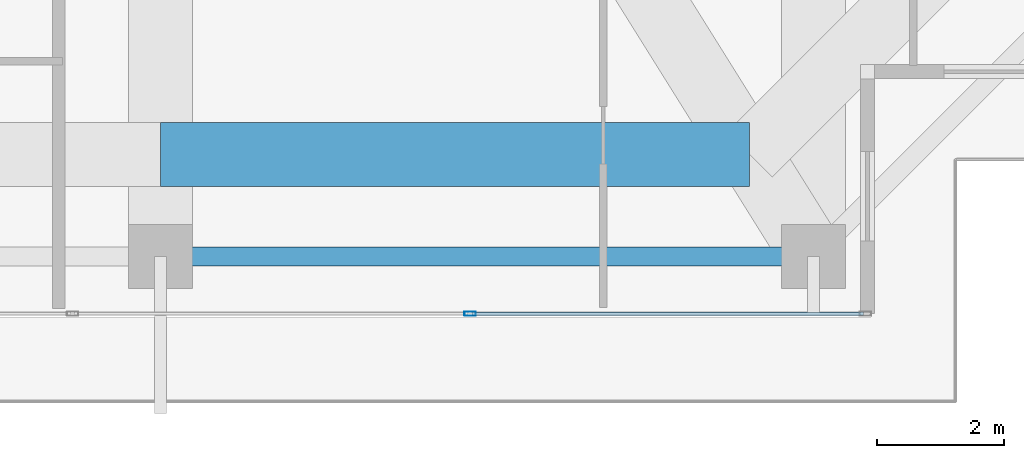
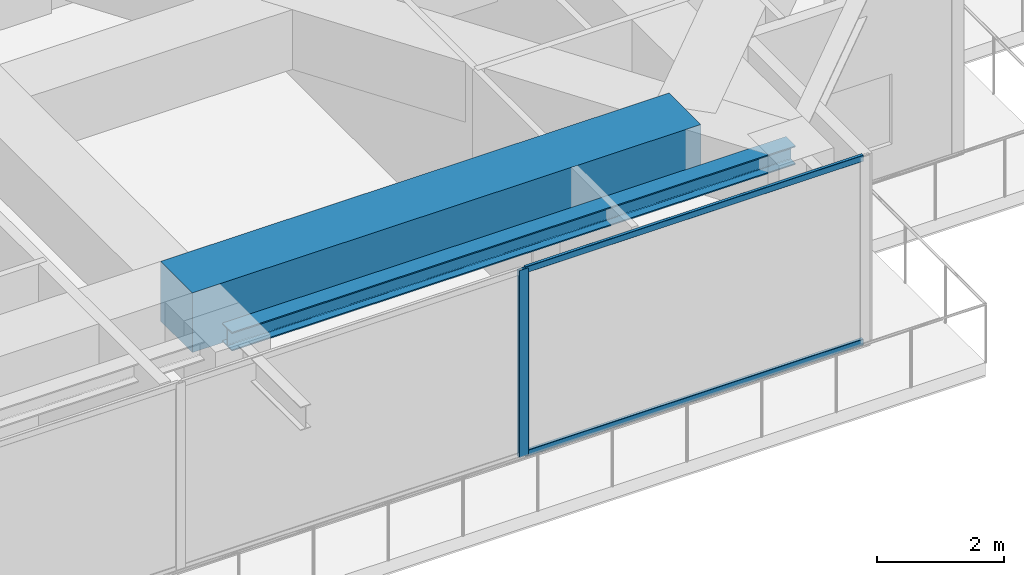
# One storey, part 13 of 40: 3 members, 2 beams, 1 element without a shape of its own.
"""IFC4 building model written with IfcOpenShell, lengths in metres."""

from ifc_helpers import new_model, si_unit, direction, frame, origin, origin_2d, place, context, subcontext, project, spatial, rectangle, hollow_rectangle, i_section, extrude, source, transform, mapped, material, layer, layer_set, material_profile, profile_set, type_object, element, aggregate, save


model = new_model("IFC4")

# Units and contexts
model_context = context("Model", 3, precision=1e-05, world=origin(), true_north=direction((0.0, 1.0)))
body_context = subcontext(model_context, "Body", "Model", "MODEL_VIEW")
ifc_project = project(units=[si_unit("LENGTHUNIT", "METRE"), si_unit("AREAUNIT", "SQUARE_METRE"), si_unit("VOLUMEUNIT", "CUBIC_METRE"), si_unit("PLANEANGLEUNIT", "RADIAN"), si_unit("MASSUNIT", "GRAM", prefix="KILO")], contexts=[model_context])

# Site, building, storey
site_placement = place(None, origin())
site = spatial("IfcSite", under=ifc_project, at=site_placement, CompositionType="ELEMENT")
building_placement = place(site_placement, origin())
building = spatial("IfcBuilding", under=site, at=building_placement, Name="Serunith Strait Residences", CompositionType="ELEMENT")
storey_placement = place(building_placement, frame((0.0, 0.0, 333.949951171875)))
storey = spatial("IfcBuildingStorey", under=building, at=storey_placement, Name="L83", CompositionType="ELEMENT", Elevation=333.949951171875)

# Beams
ifc_material_1 = material(Name="Steel S355J2", Category="steel")
ifc_material_profile_1 = material_profile(ifc_material_1, i_section(OverallWidth=0.300048828125, OverallDepth=0.360107421875, WebThickness=0.012451171875, FlangeThickness=0.0224609375, FilletRadius=0.027099609375, at=origin_2d()), Name="HEB 360")
ifc_profile_set_1 = profile_set([ifc_material_profile_1], Name="Steel S355J2")
beam_type_1 = type_object("IfcBeamType", Name="BM-HEB360", PredefinedType="BEAM", material=ifc_profile_set_1)
shared_shape_1 = source(origin(), body_context, "Body", "SweptSolid", [
    extrude(i_section(OverallWidth=0.300048828125, OverallDepth=0.360107421875, WebThickness=0.012451171875, FlangeThickness=0.0224609375, FilletRadius=0.027099609375, at=origin_2d()), origin(), (0.0, 0.0, 1.0), 10.25),
])
beam_1_placement = place(storey_placement, frame((36.89990234375, 3.300048828125, 3.427001953125), z_axis=(1.0, 0.0, 0.0), x_axis=(0.0, 1.0, 0.0)))
element("IfcBeam", 1, at=beam_1_placement, inside=storey, type_object=beam_type_1, Name="L83 Perimeter Ring Beam 03", PredefinedType="BEAM", context=body_context, shape_type="MappedRepresentation", body=[
    mapped(shared_shape_1, transform((0.0, 0.0, 0.0), scale=1.0)),
])
ifc_material_2 = material(Name="Concrete C80/95", Category="concrete")
ifc_material_profile_2 = material_profile(ifc_material_2, rectangle(XDim=1.0, YDim=1.14990234375, at=origin_2d()), Name="RC 1000x1150")
ifc_profile_set_2 = profile_set([ifc_material_profile_2], Name="Concrete C80/95")
beam_type_2 = type_object("IfcBeamType", Name="BM-XFER-1000x1150", PredefinedType="BEAM", material=ifc_profile_set_2)
shared_shape_2 = source(origin(), body_context, "Body", "SweptSolid", [
    extrude(rectangle(XDim=1.0, YDim=1.14990234375, at=origin_2d()), origin(), (0.0, 0.0, 1.0), 9.25),
])
beam_2_placement = place(storey_placement, frame((36.89990234375, 4.89990234375, 3.03515625), z_axis=(1.0, 0.0, 0.0), x_axis=(0.0, 1.0, 0.0)))
element("IfcBeam", 2, at=beam_2_placement, inside=storey, type_object=beam_type_2, Name="L83 Flare Upper Ring Transfer Girder 03", PredefinedType="BEAM", context=body_context, shape_type="MappedRepresentation", body=[
    mapped(shared_shape_2, transform((0.0, 0.0, 0.0), scale=1.0)),
])

# Curtain wall, members
ifc_material_3 = material(Name="Brushed Stainless-Silver Aluminium", Category="aluminium")
ifc_layer = layer(ifc_material_3, 0.199951171875, Name="Brushed Stainless-Silver Aluminium")
ifc_layer_set = layer_set([ifc_layer], Name="Brushed Stainless-Silver Aluminium")
curtain_wall_type = type_object("IfcCurtainWallType", Name="CW-SYS5", PredefinedType="NOTDEFINED", material=ifc_layer_set)
curtain_wall_placement = place(storey_placement, origin())
curtain_wall = element("IfcCurtainWall", 3, at=curtain_wall_placement, inside=storey, type_object=curtain_wall_type, Name="L83 S Unitised Fritted Curtain Wall", PredefinedType="NOTDEFINED")
ifc_material_profile_3 = material_profile(ifc_material_3, hollow_rectangle(XDim=0.06005859375, YDim=0.1201171875, WallThickness=0.00341796875, InnerFilletRadius=0.00537109375, OuterFilletRadius=0.0087890625, at=origin_2d()), Name="ALU 120x60x3.5")
ifc_profile_set_3 = profile_set([ifc_material_profile_3], Name="Brushed Stainless-Silver Aluminium")
member_type_1 = type_object("IfcMemberType", Name="CW-SYS5-TRAN", PredefinedType="USERDEFINED", material=ifc_profile_set_3)
shared_shape_3 = source(origin(), body_context, "Body", "SweptSolid", [
    extrude(hollow_rectangle(XDim=0.06005859375, YDim=0.1201171875, WallThickness=0.00341796875, InnerFilletRadius=0.00537109375, OuterFilletRadius=0.0087890625, at=origin_2d()), origin(), (0.0, 0.0, 1.0), 6.142578125),
])
member_1_placement = place(storey_placement, frame((41.79248046875, 2.39990234375, 0.030029296875), z_axis=(1.0, 0.0, 0.0), x_axis=(0.0, 1.0, 0.0)))
member_1 = element("IfcMember", 4, at=member_1_placement, type_object=member_type_1, Name="CW-5 transom 5.1", ObjectType="TRANSOM", PredefinedType="USERDEFINED", context=body_context, shape_type="MappedRepresentation", body=[
    mapped(shared_shape_3, transform((0.0, 0.0, 0.0), scale=1.0)),
])
member_2_placement = place(storey_placement, frame((41.79248046875, 2.39990234375, 3.56494140625), z_axis=(1.0, 0.0, 0.0), x_axis=(0.0, 1.0, 0.0)))
member_2 = element("IfcMember", 5, at=member_2_placement, type_object=member_type_1, Name="CW-5 transom 5.2", ObjectType="TRANSOM", PredefinedType="USERDEFINED", context=body_context, shape_type="MappedRepresentation", body=[
    mapped(shared_shape_3, transform((0.0, 0.0, 0.0), scale=1.0)),
])
ifc_material_profile_4 = material_profile(ifc_material_3, hollow_rectangle(XDim=0.06494140625, YDim=0.179931640625, WallThickness=0.00341796875, InnerFilletRadius=0.00537109375, OuterFilletRadius=0.0087890625, at=origin_2d()), Name="ALU 180x65x3.5")
ifc_profile_set_4 = profile_set([ifc_material_profile_4], Name="Brushed Stainless-Silver Aluminium")
member_type_2 = type_object("IfcMemberType", Name="CW-SYS5-MULL", PredefinedType="MULLION", material=ifc_profile_set_4)
shared_shape_4 = source(origin(), body_context, "Body", "SweptSolid", [
    extrude(hollow_rectangle(XDim=0.06494140625, YDim=0.179931640625, WallThickness=0.00341796875, InnerFilletRadius=0.00537109375, OuterFilletRadius=0.0087890625, at=origin_2d()), origin(), (0.0, 0.0, 1.0), 3.594970703125),
])
member_3_placement = place(storey_placement, frame((41.760009765625, 2.39990234375, 0.0), z_axis=(0.0, 0.0, 1.0), x_axis=(0.0, 1.0, 0.0)))
member_3 = element("IfcMember", 6, at=member_3_placement, type_object=member_type_2, Name="CW-5 mullion 5", PredefinedType="MULLION", context=body_context, shape_type="MappedRepresentation", body=[
    mapped(shared_shape_4, transform((0.0, 0.0, 0.0), scale=1.0)),
])
aggregate(curtain_wall, [member_3, member_1, member_2])

save(model, "model.ifc")
